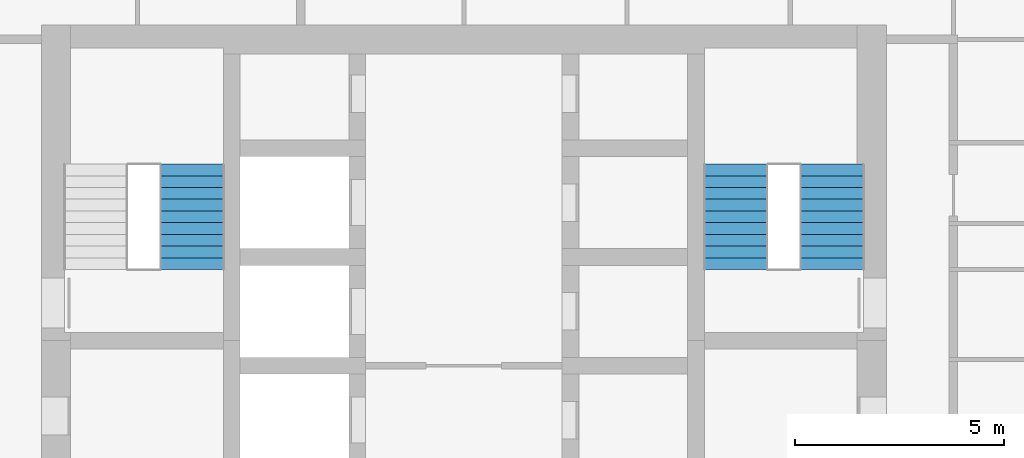
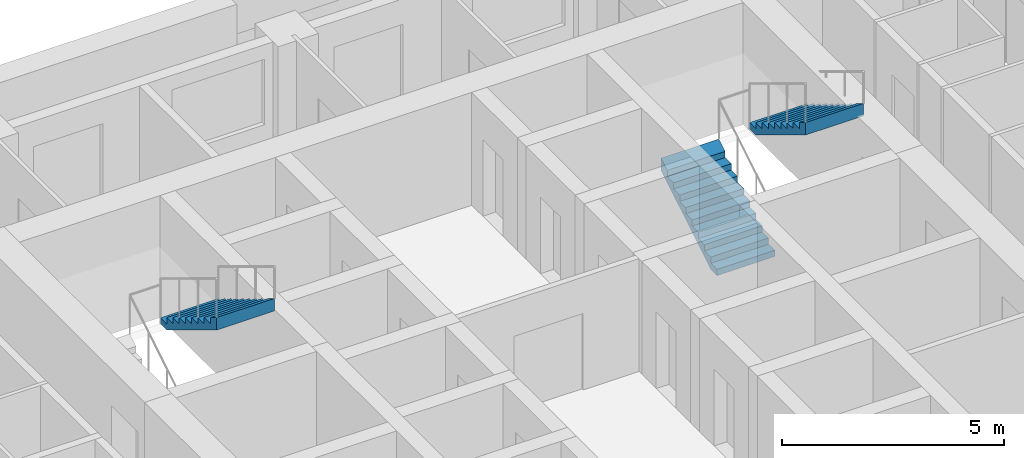
# One storey, part 15 of 17: 3 stair flights, 2 elements without a shape of their own.
"""IFC4 building model written with IfcOpenShell, lengths in metres."""

from ifc_helpers import new_model, si_unit, direction, frame, origin, place, context, subcontext, project, spatial, triangles, material, type_object, element, aggregate, save


model = new_model("IFC4")

# Units and contexts
model_context = context("Model", 3, precision=1e-05, world=origin(), true_north=direction((0.0, 1.0)))
body_context = subcontext(model_context, "Body", "Model", "MODEL_VIEW")
ifc_project = project(units=[si_unit("LENGTHUNIT", "METRE"), si_unit("AREAUNIT", "SQUARE_METRE"), si_unit("VOLUMEUNIT", "CUBIC_METRE"), si_unit("PLANEANGLEUNIT", "RADIAN"), si_unit("MASSUNIT", "GRAM", prefix="KILO")], contexts=[model_context])

# Site, building, storey
site_placement = place(None, origin())
site = spatial("IfcSite", under=ifc_project, at=site_placement, CompositionType="ELEMENT")
building_placement = place(site_placement, origin())
building = spatial("IfcBuilding", under=site, at=building_placement, Name="Ludao Terraces", CompositionType="ELEMENT")
storey_placement = place(building_placement, frame((0.0, 0.0, 43.300048828125)))
storey = spatial("IfcBuildingStorey", under=building, at=storey_placement, Name="L11", CompositionType="ELEMENT", Elevation=43.300048828125)

# Stair, stair flight
ifc_material = material(Name="Concrete C40", Category="concrete")
stair_type = type_object("IfcStairType", Name="INT Stair", PredefinedType="HALF_TURN_STAIR", material=ifc_material)
stair_1_placement = place(storey_placement, origin())
stair_1 = element("IfcStair", 1, at=stair_1_placement, inside=storey, type_object=stair_type, Name="EXIT STAIR 1", PredefinedType="HALF_TURN_STAIR")
stair_flight_type = type_object("IfcStairFlightType", Name="INT Stair flight", PredefinedType="STRAIGHT", material=ifc_material)
stair_flight_1_placement = place(storey_placement, frame((78.5, 81.52001953125, 1.699951171875), z_axis=(0.0, 0.0, 1.0), x_axis=(0.0, -1.0, 0.0)))
stair_flight_1 = element("IfcStairFlight", 2, at=stair_flight_1_placement, type_object=stair_flight_type, Name="ST1 flight 2", NumberOfRisers=10, NumberOfTreads=9, PredefinedType="STRAIGHT", RiserHeight=0.17, TreadLength=0.28, context=body_context, shape_type="Tessellation", body=[
    triangles([(0.0, -0.75, 0.0), (0.0, -0.5, 0.0), (0.0, -0.25, 0.0), (0.0, 0.0, 0.0), (0.0, 0.25, 0.0), (0.0, 0.5, 0.0), (0.0, 0.75, 0.0), (0.0, -0.75, 0.169921875), (0.0, -0.5, 0.169921875), (0.0, -0.25, 0.169921875), (0.0, 0.0, 0.169921875), (0.0, 0.25, 0.169921875), (0.0, 0.5, 0.169921875), (0.0, 0.75, 0.169921875), (0.280029296875, -0.75, 0.169921875), (0.280029296875, -0.5, 0.169921875), (0.280029296875, -0.25, 0.169921875), (0.280029296875, 0.0, 0.169921875), (0.280029296875, 0.25, 0.169921875), (0.280029296875, 0.5, 0.169921875), (0.280029296875, 0.75, 0.169921875), (0.280029296875, -0.75, 0.340087890625), (0.280029296875, -0.5, 0.340087890625), (0.280029296875, -0.25, 0.340087890625), (0.280029296875, 0.0, 0.340087890625), (0.280029296875, 0.25, 0.340087890625), (0.280029296875, 0.5, 0.340087890625), (0.280029296875, 0.75, 0.340087890625), (0.56005859375, -0.75, 0.340087890625), (0.56005859375, -0.5, 0.340087890625), (0.56005859375, -0.25, 0.340087890625), (0.56005859375, 0.0, 0.340087890625), (0.56005859375, 0.25, 0.340087890625), (0.56005859375, 0.5, 0.340087890625), (0.56005859375, 0.75, 0.340087890625), (0.56005859375, -0.75, 0.510009765625), (0.56005859375, -0.5, 0.510009765625), (0.56005859375, -0.25, 0.510009765625), (0.56005859375, 0.0, 0.510009765625), (0.56005859375, 0.25, 0.510009765625), (0.56005859375, 0.5, 0.510009765625), (0.56005859375, 0.75, 0.510009765625), (0.840087890625, -0.75, 0.510009765625), (0.840087890625, -0.5, 0.510009765625), (0.840087890625, -0.25, 0.510009765625), (0.840087890625, 0.0, 0.510009765625), (0.840087890625, 0.25, 0.510009765625), (0.840087890625, 0.5, 0.510009765625), (0.840087890625, 0.75, 0.510009765625), (0.840087890625, -0.75, 0.679931640625), (0.840087890625, -0.5, 0.679931640625), (0.840087890625, -0.25, 0.679931640625), (0.840087890625, 0.0, 0.679931640625), (0.840087890625, 0.25, 0.679931640625), (0.840087890625, 0.5, 0.679931640625), (0.840087890625, 0.75, 0.679931640625), (1.1201171875, -0.75, 0.679931640625), (1.1201171875, -0.5, 0.679931640625), (1.1201171875, -0.25, 0.679931640625), (1.1201171875, 0.0, 0.679931640625), (1.1201171875, 0.25, 0.679931640625), (1.1201171875, 0.5, 0.679931640625), (1.1201171875, 0.75, 0.679931640625), (1.1201171875, -0.75, 0.85009765625), (1.1201171875, -0.5, 0.85009765625), (1.1201171875, -0.25, 0.85009765625), (1.1201171875, 0.0, 0.85009765625), (1.1201171875, 0.25, 0.85009765625), (1.1201171875, 0.5, 0.85009765625), (1.1201171875, 0.75, 0.85009765625), (1.39990234375, -0.75, 0.85009765625), (1.39990234375, -0.5, 0.85009765625), (1.39990234375, -0.25, 0.85009765625), (1.39990234375, 0.0, 0.85009765625), (1.39990234375, 0.25, 0.85009765625), (1.39990234375, 0.5, 0.85009765625), (1.39990234375, 0.75, 0.85009765625), (1.39990234375, -0.75, 1.02001953125), (1.39990234375, -0.5, 1.02001953125), (1.39990234375, -0.25, 1.02001953125), (1.39990234375, 0.0, 1.02001953125), (1.39990234375, 0.25, 1.02001953125), (1.39990234375, 0.5, 1.02001953125), (1.39990234375, 0.75, 1.02001953125), (1.679931640625, -0.75, 1.02001953125), (1.679931640625, -0.5, 1.02001953125), (1.679931640625, -0.25, 1.02001953125), (1.679931640625, 0.0, 1.02001953125), (1.679931640625, 0.25, 1.02001953125), (1.679931640625, 0.5, 1.02001953125), (1.679931640625, 0.75, 1.02001953125), (1.679931640625, -0.75, 1.18994140625), (1.679931640625, -0.5, 1.18994140625), (1.679931640625, -0.25, 1.18994140625), (1.679931640625, 0.0, 1.18994140625), (1.679931640625, 0.25, 1.18994140625), (1.679931640625, 0.5, 1.18994140625), (1.679931640625, 0.75, 1.18994140625), (1.9599609375, -0.75, 1.18994140625), (1.9599609375, -0.5, 1.18994140625), (1.9599609375, -0.25, 1.18994140625), (1.9599609375, 0.0, 1.18994140625), (1.9599609375, 0.25, 1.18994140625), (1.9599609375, 0.5, 1.18994140625), (1.9599609375, 0.75, 1.18994140625), (1.9599609375, -0.75, 1.360107421875), (1.9599609375, -0.5, 1.360107421875), (1.9599609375, -0.25, 1.360107421875), (1.9599609375, 0.0, 1.360107421875), (1.9599609375, 0.25, 1.360107421875), (1.9599609375, 0.5, 1.360107421875), (1.9599609375, 0.75, 1.360107421875), (2.239990234375, -0.75, 1.360107421875), (2.239990234375, -0.5, 1.360107421875), (2.239990234375, -0.25, 1.360107421875), (2.239990234375, 0.0, 1.360107421875), (2.239990234375, 0.25, 1.360107421875), (2.239990234375, 0.5, 1.360107421875), (2.239990234375, 0.75, 1.360107421875), (2.239990234375, -0.75, 1.530029296875), (2.239990234375, -0.5, 1.530029296875), (2.239990234375, -0.25, 1.530029296875), (2.239990234375, 0.0, 1.530029296875), (2.239990234375, 0.25, 1.530029296875), (2.239990234375, 0.5, 1.530029296875), (2.239990234375, 0.75, 1.530029296875), (2.52001953125, -0.75, 1.699951171875), (2.52001953125, -0.5, 1.699951171875), (2.52001953125, -0.25, 1.699951171875), (2.52001953125, 0.0, 1.699951171875), (2.52001953125, 0.25, 1.699951171875), (2.52001953125, 0.5, 1.699951171875), (2.52001953125, 0.75, 1.699951171875), (2.52001953125, -0.75, 1.354736328125), (2.52001953125, -0.5, 1.354736328125), (2.52001953125, -0.25, 1.354736328125), (2.52001953125, 0.0, 1.354736328125), (2.52001953125, 0.25, 1.354736328125), (2.52001953125, 0.5, 1.354736328125), (2.52001953125, 0.75, 1.354736328125), (0.288818359375, -0.75, 0.0), (0.288818359375, -0.5, 0.0), (0.288818359375, -0.25, 0.0), (0.288818359375, 0.0, 0.0), (0.288818359375, 0.25, 0.0), (0.288818359375, 0.5, 0.0), (0.288818359375, 0.75, 0.0)], [[1, 141, 134], [7, 140, 147], [134, 127, 120], [140, 126, 133], [134, 120, 113], [140, 119, 126], [134, 113, 106], [140, 112, 119], [134, 106, 99], [140, 105, 112], [99, 92, 85], [105, 91, 98], [134, 99, 85], [140, 91, 105], [85, 78, 71], [91, 77, 84], [134, 85, 71], [140, 77, 91], [71, 64, 57], [77, 63, 70], [134, 71, 57], [140, 63, 77], [57, 50, 43], [63, 49, 56], [134, 57, 43], [140, 49, 63], [43, 36, 29], [49, 35, 42], [134, 43, 29], [140, 35, 49], [29, 22, 15], [35, 21, 28], [134, 29, 15], [140, 21, 35], [1, 134, 15], [7, 21, 140], [15, 8, 1], [21, 7, 14], [1, 9, 2], [1, 8, 9], [2, 10, 3], [2, 9, 10], [3, 11, 4], [3, 10, 11], [4, 12, 5], [4, 11, 12], [5, 13, 6], [5, 12, 13], [6, 14, 7], [6, 13, 14], [8, 16, 9], [8, 15, 16], [9, 17, 10], [9, 16, 17], [10, 18, 11], [10, 17, 18], [11, 19, 12], [11, 18, 19], [12, 20, 13], [12, 19, 20], [13, 21, 14], [13, 20, 21], [15, 23, 16], [15, 22, 23], [16, 24, 17], [16, 23, 24], [17, 25, 18], [17, 24, 25], [18, 26, 19], [18, 25, 26], [19, 27, 20], [19, 26, 27], [20, 28, 21], [20, 27, 28], [22, 30, 23], [22, 29, 30], [23, 31, 24], [23, 30, 31], [24, 32, 25], [24, 31, 32], [25, 33, 26], [25, 32, 33], [26, 34, 27], [26, 33, 34], [27, 35, 28], [27, 34, 35], [29, 37, 30], [29, 36, 37], [30, 38, 31], [30, 37, 38], [31, 39, 32], [31, 38, 39], [32, 40, 33], [32, 39, 40], [33, 41, 34], [33, 40, 41], [34, 42, 35], [34, 41, 42], [36, 44, 37], [36, 43, 44], [37, 45, 38], [37, 44, 45], [38, 46, 39], [38, 45, 46], [39, 47, 40], [39, 46, 47], [40, 48, 41], [40, 47, 48], [41, 49, 42], [41, 48, 49], [43, 51, 44], [43, 50, 51], [44, 52, 45], [44, 51, 52], [45, 53, 46], [45, 52, 53], [46, 54, 47], [46, 53, 54], [47, 55, 48], [47, 54, 55], [48, 56, 49], [48, 55, 56], [50, 58, 51], [50, 57, 58], [51, 59, 52], [51, 58, 59], [52, 60, 53], [52, 59, 60], [53, 61, 54], [53, 60, 61], [54, 62, 55], [54, 61, 62], [55, 63, 56], [55, 62, 63], [57, 65, 58], [57, 64, 65], [58, 66, 59], [58, 65, 66], [59, 67, 60], [59, 66, 67], [60, 68, 61], [60, 67, 68], [61, 69, 62], [61, 68, 69], [62, 70, 63], [62, 69, 70], [64, 72, 65], [64, 71, 72], [65, 73, 66], [65, 72, 73], [66, 74, 67], [66, 73, 74], [67, 75, 68], [67, 74, 75], [68, 76, 69], [68, 75, 76], [69, 77, 70], [69, 76, 77], [71, 79, 72], [71, 78, 79], [72, 80, 73], [72, 79, 80], [73, 81, 74], [73, 80, 81], [74, 82, 75], [74, 81, 82], [75, 83, 76], [75, 82, 83], [76, 84, 77], [76, 83, 84], [78, 86, 79], [78, 85, 86], [79, 87, 80], [79, 86, 87], [80, 88, 81], [80, 87, 88], [81, 89, 82], [81, 88, 89], [82, 90, 83], [82, 89, 90], [83, 91, 84], [83, 90, 91], [85, 93, 86], [85, 92, 93], [86, 94, 87], [86, 93, 94], [87, 95, 88], [87, 94, 95], [88, 96, 89], [88, 95, 96], [89, 97, 90], [89, 96, 97], [90, 98, 91], [90, 97, 98], [92, 100, 93], [92, 99, 100], [93, 101, 94], [93, 100, 101], [94, 102, 95], [94, 101, 102], [95, 103, 96], [95, 102, 103], [96, 104, 97], [96, 103, 104], [97, 105, 98], [97, 104, 105], [99, 107, 100], [99, 106, 107], [100, 108, 101], [100, 107, 108], [101, 109, 102], [101, 108, 109], [102, 110, 103], [102, 109, 110], [103, 111, 104], [103, 110, 111], [104, 112, 105], [104, 111, 112], [106, 114, 107], [106, 113, 114], [107, 115, 108], [107, 114, 115], [108, 116, 109], [108, 115, 116], [109, 117, 110], [109, 116, 117], [110, 118, 111], [110, 117, 118], [111, 119, 112], [111, 118, 119], [113, 121, 114], [113, 120, 121], [114, 122, 115], [114, 121, 122], [115, 123, 116], [115, 122, 123], [116, 124, 117], [116, 123, 124], [117, 125, 118], [117, 124, 125], [118, 126, 119], [118, 125, 126], [120, 128, 121], [120, 127, 128], [121, 129, 122], [121, 128, 129], [122, 130, 123], [122, 129, 130], [123, 131, 124], [123, 130, 131], [124, 132, 125], [124, 131, 132], [125, 133, 126], [125, 132, 133], [127, 135, 128], [127, 134, 135], [128, 136, 129], [128, 135, 136], [129, 137, 130], [129, 136, 137], [130, 138, 131], [130, 137, 138], [131, 139, 132], [131, 138, 139], [132, 140, 133], [132, 139, 140], [134, 142, 135], [134, 141, 142], [135, 143, 136], [135, 142, 143], [136, 144, 137], [136, 143, 144], [137, 145, 138], [137, 144, 145], [138, 146, 139], [138, 145, 146], [139, 147, 140], [139, 146, 147], [141, 2, 142], [141, 1, 2], [142, 3, 143], [142, 2, 3], [143, 4, 144], [143, 3, 4], [144, 5, 145], [144, 4, 5], [145, 6, 146], [145, 5, 6], [146, 7, 147], [146, 6, 7]], closed=True),
])
aggregate(stair_1, [stair_flight_1])

# Stair, stair flights
stair_2_placement = place(storey_placement, origin())
stair_2 = element("IfcStair", 3, at=stair_2_placement, inside=storey, type_object=stair_type, Name="EXIT STAIR 2", PredefinedType="HALF_TURN_STAIR")
stair_flight_2_placement = place(storey_placement, frame((91.5, 79.0, 0.0), z_axis=(0.0, 0.0, 1.0), x_axis=(0.0, 1.0, 0.0)))
stair_flight_2 = element("IfcStairFlight", 4, at=stair_flight_2_placement, type_object=stair_flight_type, Name="ST2 flight 1", NumberOfRisers=10, NumberOfTreads=9, PredefinedType="STRAIGHT", RiserHeight=0.17, TreadLength=0.28, context=body_context, shape_type="Tessellation", body=[
    triangles([(0.0, -0.75, 0.0), (0.0, -0.5, 0.0), (0.0, -0.25, 0.0), (0.0, 0.0, 0.0), (0.0, 0.25, 0.0), (0.0, 0.5, 0.0), (0.0, 0.75, 0.0), (0.0, -0.75, 0.169921875), (0.0, -0.5, 0.169921875), (0.0, -0.25, 0.169921875), (0.0, 0.0, 0.169921875), (0.0, 0.25, 0.169921875), (0.0, 0.5, 0.169921875), (0.0, 0.75, 0.169921875), (0.280029296875, -0.75, 0.169921875), (0.280029296875, -0.5, 0.169921875), (0.280029296875, -0.25, 0.169921875), (0.280029296875, 0.0, 0.169921875), (0.280029296875, 0.25, 0.169921875), (0.280029296875, 0.5, 0.169921875), (0.280029296875, 0.75, 0.169921875), (0.280029296875, -0.75, 0.340087890625), (0.280029296875, -0.5, 0.340087890625), (0.280029296875, -0.25, 0.340087890625), (0.280029296875, 0.0, 0.340087890625), (0.280029296875, 0.25, 0.340087890625), (0.280029296875, 0.5, 0.340087890625), (0.280029296875, 0.75, 0.340087890625), (0.56005859375, -0.75, 0.340087890625), (0.56005859375, -0.5, 0.340087890625), (0.56005859375, -0.25, 0.340087890625), (0.56005859375, 0.0, 0.340087890625), (0.56005859375, 0.25, 0.340087890625), (0.56005859375, 0.5, 0.340087890625), (0.56005859375, 0.75, 0.340087890625), (0.56005859375, -0.75, 0.510009765625), (0.56005859375, -0.5, 0.510009765625), (0.56005859375, -0.25, 0.510009765625), (0.56005859375, 0.0, 0.510009765625), (0.56005859375, 0.25, 0.510009765625), (0.56005859375, 0.5, 0.510009765625), (0.56005859375, 0.75, 0.510009765625), (0.840087890625, -0.75, 0.510009765625), (0.840087890625, -0.5, 0.510009765625), (0.840087890625, -0.25, 0.510009765625), (0.840087890625, 0.0, 0.510009765625), (0.840087890625, 0.25, 0.510009765625), (0.840087890625, 0.5, 0.510009765625), (0.840087890625, 0.75, 0.510009765625), (0.840087890625, -0.75, 0.679931640625), (0.840087890625, -0.5, 0.679931640625), (0.840087890625, -0.25, 0.679931640625), (0.840087890625, 0.0, 0.679931640625), (0.840087890625, 0.25, 0.679931640625), (0.840087890625, 0.5, 0.679931640625), (0.840087890625, 0.75, 0.679931640625), (1.1201171875, -0.75, 0.679931640625), (1.1201171875, -0.5, 0.679931640625), (1.1201171875, -0.25, 0.679931640625), (1.1201171875, 0.0, 0.679931640625), (1.1201171875, 0.25, 0.679931640625), (1.1201171875, 0.5, 0.679931640625), (1.1201171875, 0.75, 0.679931640625), (1.1201171875, -0.75, 0.85009765625), (1.1201171875, -0.5, 0.85009765625), (1.1201171875, -0.25, 0.85009765625), (1.1201171875, 0.0, 0.85009765625), (1.1201171875, 0.25, 0.85009765625), (1.1201171875, 0.5, 0.85009765625), (1.1201171875, 0.75, 0.85009765625), (1.39990234375, -0.75, 0.85009765625), (1.39990234375, -0.5, 0.85009765625), (1.39990234375, -0.25, 0.85009765625), (1.39990234375, 0.0, 0.85009765625), (1.39990234375, 0.25, 0.85009765625), (1.39990234375, 0.5, 0.85009765625), (1.39990234375, 0.75, 0.85009765625), (1.39990234375, -0.75, 1.02001953125), (1.39990234375, -0.5, 1.02001953125), (1.39990234375, -0.25, 1.02001953125), (1.39990234375, 0.0, 1.02001953125), (1.39990234375, 0.25, 1.02001953125), (1.39990234375, 0.5, 1.02001953125), (1.39990234375, 0.75, 1.02001953125), (1.679931640625, -0.75, 1.02001953125), (1.679931640625, -0.5, 1.02001953125), (1.679931640625, -0.25, 1.02001953125), (1.679931640625, 0.0, 1.02001953125), (1.679931640625, 0.25, 1.02001953125), (1.679931640625, 0.5, 1.02001953125), (1.679931640625, 0.75, 1.02001953125), (1.679931640625, -0.75, 1.18994140625), (1.679931640625, -0.5, 1.18994140625), (1.679931640625, -0.25, 1.18994140625), (1.679931640625, 0.0, 1.18994140625), (1.679931640625, 0.25, 1.18994140625), (1.679931640625, 0.5, 1.18994140625), (1.679931640625, 0.75, 1.18994140625), (1.9599609375, -0.75, 1.18994140625), (1.9599609375, -0.5, 1.18994140625), (1.9599609375, -0.25, 1.18994140625), (1.9599609375, 0.0, 1.18994140625), (1.9599609375, 0.25, 1.18994140625), (1.9599609375, 0.5, 1.18994140625), (1.9599609375, 0.75, 1.18994140625), (1.9599609375, -0.75, 1.360107421875), (1.9599609375, -0.5, 1.360107421875), (1.9599609375, -0.25, 1.360107421875), (1.9599609375, 0.0, 1.360107421875), (1.9599609375, 0.25, 1.360107421875), (1.9599609375, 0.5, 1.360107421875), (1.9599609375, 0.75, 1.360107421875), (2.239990234375, -0.75, 1.360107421875), (2.239990234375, -0.5, 1.360107421875), (2.239990234375, -0.25, 1.360107421875), (2.239990234375, 0.0, 1.360107421875), (2.239990234375, 0.25, 1.360107421875), (2.239990234375, 0.5, 1.360107421875), (2.239990234375, 0.75, 1.360107421875), (2.239990234375, -0.75, 1.530029296875), (2.239990234375, -0.5, 1.530029296875), (2.239990234375, -0.25, 1.530029296875), (2.239990234375, 0.0, 1.530029296875), (2.239990234375, 0.25, 1.530029296875), (2.239990234375, 0.5, 1.530029296875), (2.239990234375, 0.75, 1.530029296875), (2.52001953125, -0.75, 1.699951171875), (2.52001953125, -0.5, 1.699951171875), (2.52001953125, -0.25, 1.699951171875), (2.52001953125, 0.0, 1.699951171875), (2.52001953125, 0.25, 1.699951171875), (2.52001953125, 0.5, 1.699951171875), (2.52001953125, 0.75, 1.699951171875), (2.52001953125, -0.75, 1.354736328125), (2.52001953125, -0.5, 1.354736328125), (2.52001953125, -0.25, 1.354736328125), (2.52001953125, 0.0, 1.354736328125), (2.52001953125, 0.25, 1.354736328125), (2.52001953125, 0.5, 1.354736328125), (2.52001953125, 0.75, 1.354736328125), (0.288818359375, -0.75, 0.0), (0.288818359375, -0.5, 0.0), (0.288818359375, -0.25, 0.0), (0.288818359375, 0.0, 0.0), (0.288818359375, 0.25, 0.0), (0.288818359375, 0.5, 0.0), (0.288818359375, 0.75, 0.0)], [[1, 141, 134], [7, 140, 147], [134, 127, 120], [140, 126, 133], [134, 120, 113], [140, 119, 126], [134, 113, 106], [140, 112, 119], [134, 106, 99], [140, 105, 112], [99, 92, 85], [105, 91, 98], [134, 99, 85], [140, 91, 105], [85, 78, 71], [91, 77, 84], [134, 85, 71], [140, 77, 91], [71, 64, 57], [77, 63, 70], [134, 71, 57], [140, 63, 77], [57, 50, 43], [63, 49, 56], [134, 57, 43], [140, 49, 63], [43, 36, 29], [49, 35, 42], [134, 43, 29], [140, 35, 49], [29, 22, 15], [35, 21, 28], [134, 29, 15], [140, 21, 35], [1, 134, 15], [7, 21, 140], [15, 8, 1], [21, 7, 14], [1, 9, 2], [1, 8, 9], [2, 10, 3], [2, 9, 10], [3, 11, 4], [3, 10, 11], [4, 12, 5], [4, 11, 12], [5, 13, 6], [5, 12, 13], [6, 14, 7], [6, 13, 14], [8, 16, 9], [8, 15, 16], [9, 17, 10], [9, 16, 17], [10, 18, 11], [10, 17, 18], [11, 19, 12], [11, 18, 19], [12, 20, 13], [12, 19, 20], [13, 21, 14], [13, 20, 21], [15, 23, 16], [15, 22, 23], [16, 24, 17], [16, 23, 24], [17, 25, 18], [17, 24, 25], [18, 26, 19], [18, 25, 26], [19, 27, 20], [19, 26, 27], [20, 28, 21], [20, 27, 28], [22, 30, 23], [22, 29, 30], [23, 31, 24], [23, 30, 31], [24, 32, 25], [24, 31, 32], [25, 33, 26], [25, 32, 33], [26, 34, 27], [26, 33, 34], [27, 35, 28], [27, 34, 35], [29, 37, 30], [29, 36, 37], [30, 38, 31], [30, 37, 38], [31, 39, 32], [31, 38, 39], [32, 40, 33], [32, 39, 40], [33, 41, 34], [33, 40, 41], [34, 42, 35], [34, 41, 42], [36, 44, 37], [36, 43, 44], [37, 45, 38], [37, 44, 45], [38, 46, 39], [38, 45, 46], [39, 47, 40], [39, 46, 47], [40, 48, 41], [40, 47, 48], [41, 49, 42], [41, 48, 49], [43, 51, 44], [43, 50, 51], [44, 52, 45], [44, 51, 52], [45, 53, 46], [45, 52, 53], [46, 54, 47], [46, 53, 54], [47, 55, 48], [47, 54, 55], [48, 56, 49], [48, 55, 56], [50, 58, 51], [50, 57, 58], [51, 59, 52], [51, 58, 59], [52, 60, 53], [52, 59, 60], [53, 61, 54], [53, 60, 61], [54, 62, 55], [54, 61, 62], [55, 63, 56], [55, 62, 63], [57, 65, 58], [57, 64, 65], [58, 66, 59], [58, 65, 66], [59, 67, 60], [59, 66, 67], [60, 68, 61], [60, 67, 68], [61, 69, 62], [61, 68, 69], [62, 70, 63], [62, 69, 70], [64, 72, 65], [64, 71, 72], [65, 73, 66], [65, 72, 73], [66, 74, 67], [66, 73, 74], [67, 75, 68], [67, 74, 75], [68, 76, 69], [68, 75, 76], [69, 77, 70], [69, 76, 77], [71, 79, 72], [71, 78, 79], [72, 80, 73], [72, 79, 80], [73, 81, 74], [73, 80, 81], [74, 82, 75], [74, 81, 82], [75, 83, 76], [75, 82, 83], [76, 84, 77], [76, 83, 84], [78, 86, 79], [78, 85, 86], [79, 87, 80], [79, 86, 87], [80, 88, 81], [80, 87, 88], [81, 89, 82], [81, 88, 89], [82, 90, 83], [82, 89, 90], [83, 91, 84], [83, 90, 91], [85, 93, 86], [85, 92, 93], [86, 94, 87], [86, 93, 94], [87, 95, 88], [87, 94, 95], [88, 96, 89], [88, 95, 96], [89, 97, 90], [89, 96, 97], [90, 98, 91], [90, 97, 98], [92, 100, 93], [92, 99, 100], [93, 101, 94], [93, 100, 101], [94, 102, 95], [94, 101, 102], [95, 103, 96], [95, 102, 103], [96, 104, 97], [96, 103, 104], [97, 105, 98], [97, 104, 105], [99, 107, 100], [99, 106, 107], [100, 108, 101], [100, 107, 108], [101, 109, 102], [101, 108, 109], [102, 110, 103], [102, 109, 110], [103, 111, 104], [103, 110, 111], [104, 112, 105], [104, 111, 112], [106, 114, 107], [106, 113, 114], [107, 115, 108], [107, 114, 115], [108, 116, 109], [108, 115, 116], [109, 117, 110], [109, 116, 117], [110, 118, 111], [110, 117, 118], [111, 119, 112], [111, 118, 119], [113, 121, 114], [113, 120, 121], [114, 122, 115], [114, 121, 122], [115, 123, 116], [115, 122, 123], [116, 124, 117], [116, 123, 124], [117, 125, 118], [117, 124, 125], [118, 126, 119], [118, 125, 126], [120, 128, 121], [120, 127, 128], [121, 129, 122], [121, 128, 129], [122, 130, 123], [122, 129, 130], [123, 131, 124], [123, 130, 131], [124, 132, 125], [124, 131, 132], [125, 133, 126], [125, 132, 133], [127, 135, 128], [127, 134, 135], [128, 136, 129], [128, 135, 136], [129, 137, 130], [129, 136, 137], [130, 138, 131], [130, 137, 138], [131, 139, 132], [131, 138, 139], [132, 140, 133], [132, 139, 140], [134, 142, 135], [134, 141, 142], [135, 143, 136], [135, 142, 143], [136, 144, 137], [136, 143, 144], [137, 145, 138], [137, 144, 145], [138, 146, 139], [138, 145, 146], [139, 147, 140], [139, 146, 147], [141, 2, 142], [141, 1, 2], [142, 3, 143], [142, 2, 3], [143, 4, 144], [143, 3, 4], [144, 5, 145], [144, 4, 5], [145, 6, 146], [145, 5, 6], [146, 7, 147], [146, 6, 7]], closed=True),
])
stair_flight_3_placement = place(storey_placement, frame((93.800048828125, 81.52001953125, 1.699951171875), z_axis=(0.0, 0.0, 1.0), x_axis=(0.0, -1.0, 0.0)))
stair_flight_3 = element("IfcStairFlight", 5, at=stair_flight_3_placement, type_object=stair_flight_type, Name="ST2 flight 2", NumberOfRisers=10, NumberOfTreads=9, PredefinedType="STRAIGHT", RiserHeight=0.17, TreadLength=0.28, context=body_context, shape_type="Tessellation", body=[
    triangles([(0.0, -0.75, 0.0), (0.0, -0.5, 0.0), (0.0, -0.25, 0.0), (0.0, 0.0, 0.0), (0.0, 0.25, 0.0), (0.0, 0.5, 0.0), (0.0, 0.75, 0.0), (0.0, -0.75, 0.169921875), (0.0, -0.5, 0.169921875), (0.0, -0.25, 0.169921875), (0.0, 0.0, 0.169921875), (0.0, 0.25, 0.169921875), (0.0, 0.5, 0.169921875), (0.0, 0.75, 0.169921875), (0.280029296875, -0.75, 0.169921875), (0.280029296875, -0.5, 0.169921875), (0.280029296875, -0.25, 0.169921875), (0.280029296875, 0.0, 0.169921875), (0.280029296875, 0.25, 0.169921875), (0.280029296875, 0.5, 0.169921875), (0.280029296875, 0.75, 0.169921875), (0.280029296875, -0.75, 0.340087890625), (0.280029296875, -0.5, 0.340087890625), (0.280029296875, -0.25, 0.340087890625), (0.280029296875, 0.0, 0.340087890625), (0.280029296875, 0.25, 0.340087890625), (0.280029296875, 0.5, 0.340087890625), (0.280029296875, 0.75, 0.340087890625), (0.56005859375, -0.75, 0.340087890625), (0.56005859375, -0.5, 0.340087890625), (0.56005859375, -0.25, 0.340087890625), (0.56005859375, 0.0, 0.340087890625), (0.56005859375, 0.25, 0.340087890625), (0.56005859375, 0.5, 0.340087890625), (0.56005859375, 0.75, 0.340087890625), (0.56005859375, -0.75, 0.510009765625), (0.56005859375, -0.5, 0.510009765625), (0.56005859375, -0.25, 0.510009765625), (0.56005859375, 0.0, 0.510009765625), (0.56005859375, 0.25, 0.510009765625), (0.56005859375, 0.5, 0.510009765625), (0.56005859375, 0.75, 0.510009765625), (0.840087890625, -0.75, 0.510009765625), (0.840087890625, -0.5, 0.510009765625), (0.840087890625, -0.25, 0.510009765625), (0.840087890625, 0.0, 0.510009765625), (0.840087890625, 0.25, 0.510009765625), (0.840087890625, 0.5, 0.510009765625), (0.840087890625, 0.75, 0.510009765625), (0.840087890625, -0.75, 0.679931640625), (0.840087890625, -0.5, 0.679931640625), (0.840087890625, -0.25, 0.679931640625), (0.840087890625, 0.0, 0.679931640625), (0.840087890625, 0.25, 0.679931640625), (0.840087890625, 0.5, 0.679931640625), (0.840087890625, 0.75, 0.679931640625), (1.1201171875, -0.75, 0.679931640625), (1.1201171875, -0.5, 0.679931640625), (1.1201171875, -0.25, 0.679931640625), (1.1201171875, 0.0, 0.679931640625), (1.1201171875, 0.25, 0.679931640625), (1.1201171875, 0.5, 0.679931640625), (1.1201171875, 0.75, 0.679931640625), (1.1201171875, -0.75, 0.85009765625), (1.1201171875, -0.5, 0.85009765625), (1.1201171875, -0.25, 0.85009765625), (1.1201171875, 0.0, 0.85009765625), (1.1201171875, 0.25, 0.85009765625), (1.1201171875, 0.5, 0.85009765625), (1.1201171875, 0.75, 0.85009765625), (1.39990234375, -0.75, 0.85009765625), (1.39990234375, -0.5, 0.85009765625), (1.39990234375, -0.25, 0.85009765625), (1.39990234375, 0.0, 0.85009765625), (1.39990234375, 0.25, 0.85009765625), (1.39990234375, 0.5, 0.85009765625), (1.39990234375, 0.75, 0.85009765625), (1.39990234375, -0.75, 1.02001953125), (1.39990234375, -0.5, 1.02001953125), (1.39990234375, -0.25, 1.02001953125), (1.39990234375, 0.0, 1.02001953125), (1.39990234375, 0.25, 1.02001953125), (1.39990234375, 0.5, 1.02001953125), (1.39990234375, 0.75, 1.02001953125), (1.679931640625, -0.75, 1.02001953125), (1.679931640625, -0.5, 1.02001953125), (1.679931640625, -0.25, 1.02001953125), (1.679931640625, 0.0, 1.02001953125), (1.679931640625, 0.25, 1.02001953125), (1.679931640625, 0.5, 1.02001953125), (1.679931640625, 0.75, 1.02001953125), (1.679931640625, -0.75, 1.18994140625), (1.679931640625, -0.5, 1.18994140625), (1.679931640625, -0.25, 1.18994140625), (1.679931640625, 0.0, 1.18994140625), (1.679931640625, 0.25, 1.18994140625), (1.679931640625, 0.5, 1.18994140625), (1.679931640625, 0.75, 1.18994140625), (1.9599609375, -0.75, 1.18994140625), (1.9599609375, -0.5, 1.18994140625), (1.9599609375, -0.25, 1.18994140625), (1.9599609375, 0.0, 1.18994140625), (1.9599609375, 0.25, 1.18994140625), (1.9599609375, 0.5, 1.18994140625), (1.9599609375, 0.75, 1.18994140625), (1.9599609375, -0.75, 1.360107421875), (1.9599609375, -0.5, 1.360107421875), (1.9599609375, -0.25, 1.360107421875), (1.9599609375, 0.0, 1.360107421875), (1.9599609375, 0.25, 1.360107421875), (1.9599609375, 0.5, 1.360107421875), (1.9599609375, 0.75, 1.360107421875), (2.239990234375, -0.75, 1.360107421875), (2.239990234375, -0.5, 1.360107421875), (2.239990234375, -0.25, 1.360107421875), (2.239990234375, 0.0, 1.360107421875), (2.239990234375, 0.25, 1.360107421875), (2.239990234375, 0.5, 1.360107421875), (2.239990234375, 0.75, 1.360107421875), (2.239990234375, -0.75, 1.530029296875), (2.239990234375, -0.5, 1.530029296875), (2.239990234375, -0.25, 1.530029296875), (2.239990234375, 0.0, 1.530029296875), (2.239990234375, 0.25, 1.530029296875), (2.239990234375, 0.5, 1.530029296875), (2.239990234375, 0.75, 1.530029296875), (2.52001953125, -0.75, 1.699951171875), (2.52001953125, -0.5, 1.699951171875), (2.52001953125, -0.25, 1.699951171875), (2.52001953125, 0.0, 1.699951171875), (2.52001953125, 0.25, 1.699951171875), (2.52001953125, 0.5, 1.699951171875), (2.52001953125, 0.75, 1.699951171875), (2.52001953125, -0.75, 1.354736328125), (2.52001953125, -0.5, 1.354736328125), (2.52001953125, -0.25, 1.354736328125), (2.52001953125, 0.0, 1.354736328125), (2.52001953125, 0.25, 1.354736328125), (2.52001953125, 0.5, 1.354736328125), (2.52001953125, 0.75, 1.354736328125), (0.288818359375, -0.75, 0.0), (0.288818359375, -0.5, 0.0), (0.288818359375, -0.25, 0.0), (0.288818359375, 0.0, 0.0), (0.288818359375, 0.25, 0.0), (0.288818359375, 0.5, 0.0), (0.288818359375, 0.75, 0.0)], [[1, 141, 134], [7, 140, 147], [134, 127, 120], [140, 126, 133], [134, 120, 113], [140, 119, 126], [134, 113, 106], [140, 112, 119], [134, 106, 99], [140, 105, 112], [99, 92, 85], [105, 91, 98], [134, 99, 85], [140, 91, 105], [85, 78, 71], [91, 77, 84], [134, 85, 71], [140, 77, 91], [71, 64, 57], [77, 63, 70], [134, 71, 57], [140, 63, 77], [57, 50, 43], [63, 49, 56], [134, 57, 43], [140, 49, 63], [43, 36, 29], [49, 35, 42], [134, 43, 29], [140, 35, 49], [29, 22, 15], [35, 21, 28], [134, 29, 15], [140, 21, 35], [1, 134, 15], [7, 21, 140], [15, 8, 1], [21, 7, 14], [1, 9, 2], [1, 8, 9], [2, 10, 3], [2, 9, 10], [3, 11, 4], [3, 10, 11], [4, 12, 5], [4, 11, 12], [5, 13, 6], [5, 12, 13], [6, 14, 7], [6, 13, 14], [8, 16, 9], [8, 15, 16], [9, 17, 10], [9, 16, 17], [10, 18, 11], [10, 17, 18], [11, 19, 12], [11, 18, 19], [12, 20, 13], [12, 19, 20], [13, 21, 14], [13, 20, 21], [15, 23, 16], [15, 22, 23], [16, 24, 17], [16, 23, 24], [17, 25, 18], [17, 24, 25], [18, 26, 19], [18, 25, 26], [19, 27, 20], [19, 26, 27], [20, 28, 21], [20, 27, 28], [22, 30, 23], [22, 29, 30], [23, 31, 24], [23, 30, 31], [24, 32, 25], [24, 31, 32], [25, 33, 26], [25, 32, 33], [26, 34, 27], [26, 33, 34], [27, 35, 28], [27, 34, 35], [29, 37, 30], [29, 36, 37], [30, 38, 31], [30, 37, 38], [31, 39, 32], [31, 38, 39], [32, 40, 33], [32, 39, 40], [33, 41, 34], [33, 40, 41], [34, 42, 35], [34, 41, 42], [36, 44, 37], [36, 43, 44], [37, 45, 38], [37, 44, 45], [38, 46, 39], [38, 45, 46], [39, 47, 40], [39, 46, 47], [40, 48, 41], [40, 47, 48], [41, 49, 42], [41, 48, 49], [43, 51, 44], [43, 50, 51], [44, 52, 45], [44, 51, 52], [45, 53, 46], [45, 52, 53], [46, 54, 47], [46, 53, 54], [47, 55, 48], [47, 54, 55], [48, 56, 49], [48, 55, 56], [50, 58, 51], [50, 57, 58], [51, 59, 52], [51, 58, 59], [52, 60, 53], [52, 59, 60], [53, 61, 54], [53, 60, 61], [54, 62, 55], [54, 61, 62], [55, 63, 56], [55, 62, 63], [57, 65, 58], [57, 64, 65], [58, 66, 59], [58, 65, 66], [59, 67, 60], [59, 66, 67], [60, 68, 61], [60, 67, 68], [61, 69, 62], [61, 68, 69], [62, 70, 63], [62, 69, 70], [64, 72, 65], [64, 71, 72], [65, 73, 66], [65, 72, 73], [66, 74, 67], [66, 73, 74], [67, 75, 68], [67, 74, 75], [68, 76, 69], [68, 75, 76], [69, 77, 70], [69, 76, 77], [71, 79, 72], [71, 78, 79], [72, 80, 73], [72, 79, 80], [73, 81, 74], [73, 80, 81], [74, 82, 75], [74, 81, 82], [75, 83, 76], [75, 82, 83], [76, 84, 77], [76, 83, 84], [78, 86, 79], [78, 85, 86], [79, 87, 80], [79, 86, 87], [80, 88, 81], [80, 87, 88], [81, 89, 82], [81, 88, 89], [82, 90, 83], [82, 89, 90], [83, 91, 84], [83, 90, 91], [85, 93, 86], [85, 92, 93], [86, 94, 87], [86, 93, 94], [87, 95, 88], [87, 94, 95], [88, 96, 89], [88, 95, 96], [89, 97, 90], [89, 96, 97], [90, 98, 91], [90, 97, 98], [92, 100, 93], [92, 99, 100], [93, 101, 94], [93, 100, 101], [94, 102, 95], [94, 101, 102], [95, 103, 96], [95, 102, 103], [96, 104, 97], [96, 103, 104], [97, 105, 98], [97, 104, 105], [99, 107, 100], [99, 106, 107], [100, 108, 101], [100, 107, 108], [101, 109, 102], [101, 108, 109], [102, 110, 103], [102, 109, 110], [103, 111, 104], [103, 110, 111], [104, 112, 105], [104, 111, 112], [106, 114, 107], [106, 113, 114], [107, 115, 108], [107, 114, 115], [108, 116, 109], [108, 115, 116], [109, 117, 110], [109, 116, 117], [110, 118, 111], [110, 117, 118], [111, 119, 112], [111, 118, 119], [113, 121, 114], [113, 120, 121], [114, 122, 115], [114, 121, 122], [115, 123, 116], [115, 122, 123], [116, 124, 117], [116, 123, 124], [117, 125, 118], [117, 124, 125], [118, 126, 119], [118, 125, 126], [120, 128, 121], [120, 127, 128], [121, 129, 122], [121, 128, 129], [122, 130, 123], [122, 129, 130], [123, 131, 124], [123, 130, 131], [124, 132, 125], [124, 131, 132], [125, 133, 126], [125, 132, 133], [127, 135, 128], [127, 134, 135], [128, 136, 129], [128, 135, 136], [129, 137, 130], [129, 136, 137], [130, 138, 131], [130, 137, 138], [131, 139, 132], [131, 138, 139], [132, 140, 133], [132, 139, 140], [134, 142, 135], [134, 141, 142], [135, 143, 136], [135, 142, 143], [136, 144, 137], [136, 143, 144], [137, 145, 138], [137, 144, 145], [138, 146, 139], [138, 145, 146], [139, 147, 140], [139, 146, 147], [141, 2, 142], [141, 1, 2], [142, 3, 143], [142, 2, 3], [143, 4, 144], [143, 3, 4], [144, 5, 145], [144, 4, 5], [145, 6, 146], [145, 5, 6], [146, 7, 147], [146, 6, 7]], closed=True),
])
aggregate(stair_2, [stair_flight_2, stair_flight_3])

save(model, "model.ifc")
